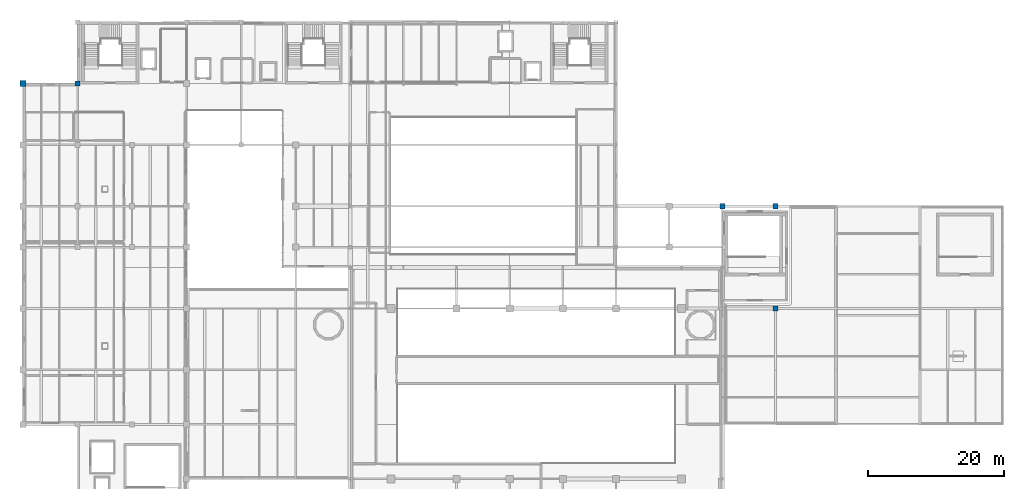
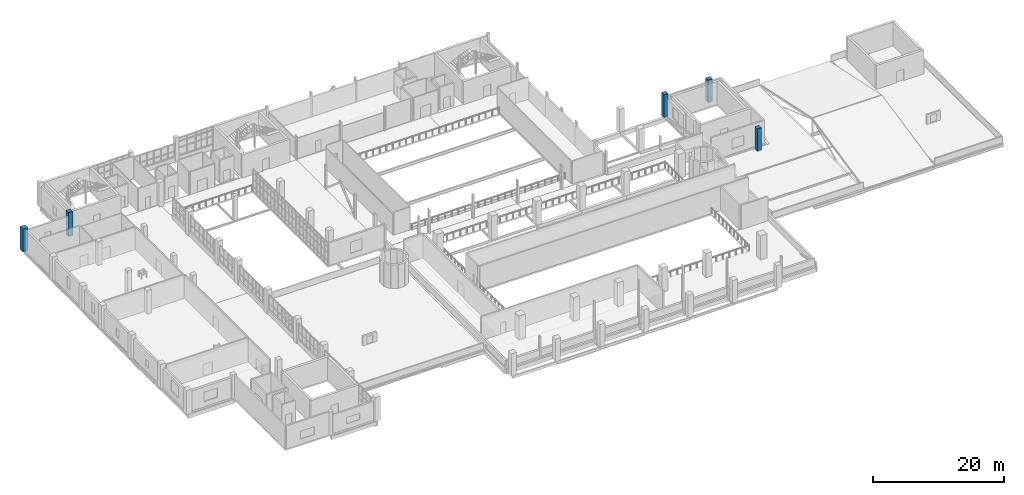
# One storey, part 6 of 85: 5 columns.
"""IFC4 building model written with IfcOpenShell, lengths in metres."""

from ifc_helpers import new_model, si_unit, derived_unit, direction, frame, origin, origin_2d, place, context, subcontext, project, spatial, rectangle, extrude, material, material_profile, profile_set, type_object, element, save


model = new_model("IFC4")

# Units and contexts
model_context = context("Model", 3, precision=1e-05, world=origin(), true_north=direction((0.0, 1.0)))
body_context = subcontext(model_context, "Body", "Model", "MODEL_VIEW")
ifc_project = project(units=[si_unit("LENGTHUNIT", "METRE"), si_unit("AREAUNIT", "SQUARE_METRE"), si_unit("VOLUMEUNIT", "CUBIC_METRE"), si_unit("PLANEANGLEUNIT", "RADIAN"), si_unit("MASSUNIT", "GRAM", prefix="KILO"), derived_unit("THERMALTRANSMITTANCEUNIT", [(si_unit("POWERUNIT", "WATT"), 1), (si_unit("LENGTHUNIT", "METRE"), -2), (si_unit("THERMODYNAMICTEMPERATUREUNIT", "KELVIN"), -1)])], contexts=[model_context])

# Site, building, storey
site_placement = place(None, origin())
site = spatial("IfcSite", under=ifc_project, at=site_placement, CompositionType="ELEMENT")
building_placement = place(site_placement, origin())
building = spatial("IfcBuilding", under=site, at=building_placement, Name="Nallur Shell Playhouse", CompositionType="ELEMENT")
storey_placement = place(building_placement, frame((0.0, 0.0, 19.800048828125)))
storey = spatial("IfcBuildingStorey", under=building, at=storey_placement, Name="L05", CompositionType="ELEMENT", Elevation=19.800048828125)

# Columns
ifc_material = material(Name="Concrete M40", Category="concrete")
ifc_material_profile_1 = material_profile(ifc_material, rectangle(XDim=0.75, YDim=0.75, at=origin_2d()), Name="RC 750x750")
ifc_profile_set_1 = profile_set([ifc_material_profile_1], Name="Concrete M40")
column_type_1 = type_object("IfcColumnType", Name="CL-RC-750", PredefinedType="COLUMN", material=ifc_profile_set_1)
column_1_placement = place(storey_placement, frame((24.0, 74.0, 0.0), z_axis=(0.0, 0.0, 1.0), x_axis=(1.0, 0.0, 0.0)))
element("IfcColumn", 1, at=column_1_placement, inside=storey, type_object=column_type_1, Name="Column 3-J (L05)", PredefinedType="COLUMN", context=body_context, shape_type="SweptSolid", body=[
    extrude(rectangle(XDim=0.75, YDim=0.75, at=origin_2d()), origin(), (0.0, 0.0, 1.0), 4.4599609375),
])
for number, where, z_axis, x_axis, name in (
    (2, (118.60009765625, 56.0, 0.0), (0.0, 0.0, 1.0), (1.0, 0.0, 0.0), "Column 15-G (L05)"),
    (3, (126.39990234375, 41.0, 0.0), (0.0, 0.0, 1.0), (1.0, 0.0, 0.0), "Column 16-E (L05)"),
    (4, (126.39990234375, 56.0, 0.0), (0.0, 0.0, 1.0), (1.0, 0.0, 0.0), "Column 16-G (L05)"),
):
    element("IfcColumn", number, at=place(storey_placement, frame(where, z_axis=z_axis, x_axis=x_axis)), inside=storey, type_object=column_type_1, Name=name, PredefinedType="COLUMN", context=body_context, shape_type="SweptSolid", body=[
        extrude(rectangle(XDim=0.75, YDim=0.75, at=origin_2d()), origin(), (0.0, 0.0, 1.0), 4.22998046875),
    ])
ifc_material_profile_2 = material_profile(ifc_material, rectangle(XDim=0.89990234375, YDim=0.89990234375, at=origin_2d()), Name="RC 900x900")
ifc_profile_set_2 = profile_set([ifc_material_profile_2], Name="Concrete M40")
column_type_2 = type_object("IfcColumnType", Name="CL-RC-900", PredefinedType="COLUMN", material=ifc_profile_set_2)
column_2_placement = place(storey_placement, frame((16.0, 74.0, 0.0), z_axis=(0.0, 0.0, 1.0), x_axis=(1.0, 0.0, 0.0)))
element("IfcColumn", 5, at=column_2_placement, inside=storey, type_object=column_type_2, Name="Column 2-J (L05)", PredefinedType="COLUMN", context=body_context, shape_type="SweptSolid", body=[
    extrude(rectangle(XDim=0.89990234375, YDim=0.89990234375, at=origin_2d()), origin(), (0.0, 0.0, 1.0), 4.22998046875),
])

save(model, "model.ifc")
